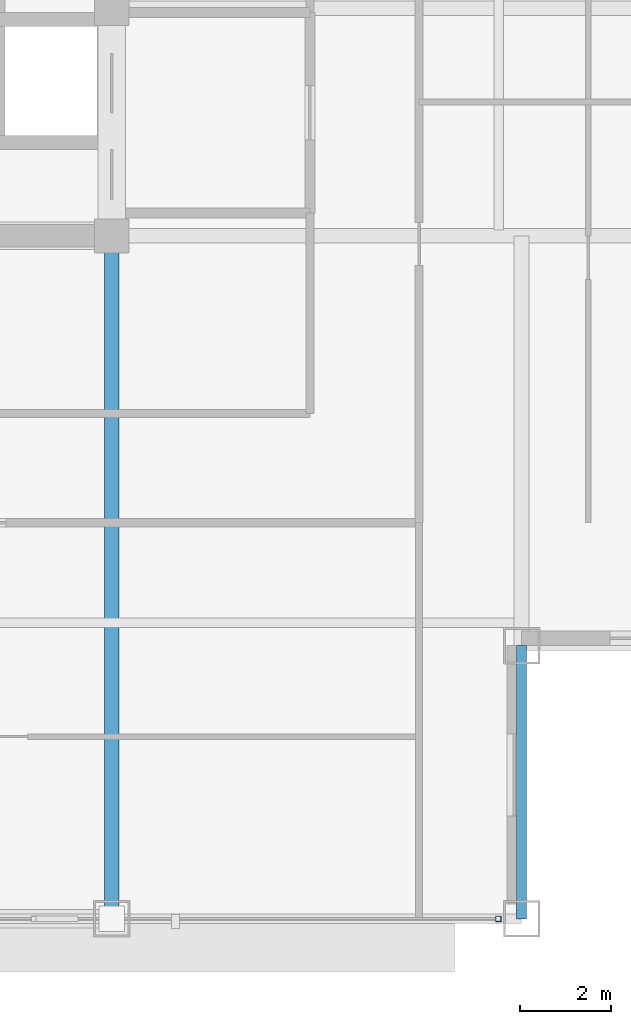
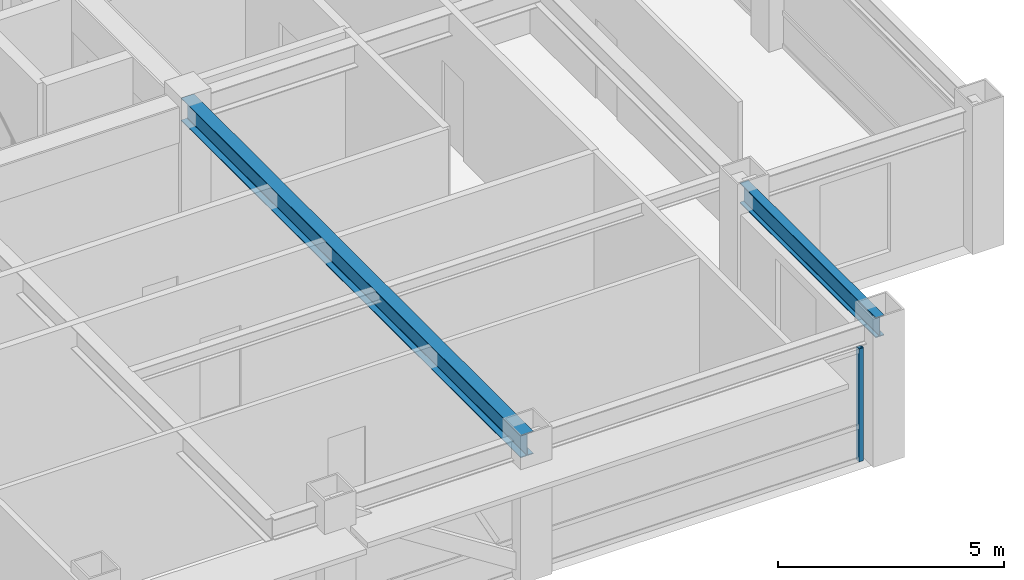
# One storey, part 8 of 32: 2 beams, 1 member, 1 element without a shape of its own.
"""IFC4 building model written with IfcOpenShell, lengths in metres."""

from ifc_helpers import new_model, si_unit, direction, frame, origin, origin_2d, place, context, subcontext, project, spatial, hollow_rectangle, i_section, extrude, source, transform, mapped, material, material_profile, profile_set, type_object, element, aggregate, save


model = new_model("IFC4")

# Units and contexts
model_context = context("Model", 3, precision=1e-05, world=origin(), true_north=direction((0.0, 1.0)))
body_context = subcontext(model_context, "Body", "Model", "MODEL_VIEW")
ifc_project = project(units=[si_unit("LENGTHUNIT", "METRE"), si_unit("AREAUNIT", "SQUARE_METRE"), si_unit("VOLUMEUNIT", "CUBIC_METRE"), si_unit("PLANEANGLEUNIT", "RADIAN"), si_unit("MASSUNIT", "GRAM", prefix="KILO")], contexts=[model_context])

# Site, building, storey
site_placement = place(None, origin())
site = spatial("IfcSite", under=ifc_project, at=site_placement, CompositionType="ELEMENT")
building_placement = place(site_placement, origin())
building = spatial("IfcBuilding", under=site, at=building_placement, Name="Khorayat Bourse Tower", CompositionType="ELEMENT")
storey_placement = place(building_placement, frame((0.0, 0.0, 342.300048828125)))
storey = spatial("IfcBuildingStorey", under=building, at=storey_placement, Name="L81", CompositionType="ELEMENT", Elevation=342.300048828125)

# Beams
ifc_material_1 = material(Name="Steel ASTM A992 Grade 50", Category="steel")
ifc_material_profile_1 = material_profile(ifc_material_1, i_section(OverallWidth=0.214111328125, OverallDepth=0.549072265625, WebThickness=0.0146484375, FlangeThickness=0.023681640625, FilletRadius=0.013916015625, at=origin_2d()), Name="W530X138")
ifc_profile_set_1 = profile_set([ifc_material_profile_1], Name="Steel ASTM A992 Grade 50")
beam_type_1 = type_object("IfcBeamType", Name="BM-SPAN-530", PredefinedType="SPANDREL", material=ifc_profile_set_1)
shared_shape_1 = source(origin(), body_context, "Body", "SweptSolid", [
    extrude(i_section(OverallWidth=0.214111328125, OverallDepth=0.549072265625, WebThickness=0.0146484375, FlangeThickness=0.023681640625, FilletRadius=0.013916015625, at=origin_2d()), origin(), (0.0, 0.0, 1.0), 6.0),
])
beam_1_placement = place(storey_placement, frame((20.0, -26.0, 3.425537109375), z_axis=(0.0, 1.0, 0.0), x_axis=(-1.0, 0.0, 0.0)))
element("IfcBeam", 1, at=beam_1_placement, inside=storey, type_object=beam_type_1, Name="L81 BM-SPAN-530 BM-L81-SPN-027", PredefinedType="SPANDREL", context=body_context, shape_type="MappedRepresentation", body=[
    mapped(shared_shape_1, transform((0.0, 0.0, 0.0), scale=1.0)),
])
ifc_material_profile_2 = material_profile(ifc_material_1, i_section(OverallWidth=0.324951171875, OverallDepth=0.615966796875, WebThickness=0.013916015625, FlangeThickness=0.021484375, FilletRadius=0.01611328125, at=origin_2d()), Name="W610X174")
ifc_profile_set_2 = profile_set([ifc_material_profile_2], Name="Steel ASTM A992 Grade 50")
beam_type_2 = type_object("IfcBeamType", Name="BM-GIRD-610", PredefinedType="BEAM", material=ifc_profile_set_2)
shared_shape_2 = source(origin(), body_context, "Body", "SweptSolid", [
    extrude(i_section(OverallWidth=0.324951171875, OverallDepth=0.615966796875, WebThickness=0.013916015625, FlangeThickness=0.021484375, FilletRadius=0.01611328125, at=origin_2d()), origin(), (0.0, 0.0, 1.0), 15.0),
])
beam_2_placement = place(storey_placement, frame((11.0, -26.0, 3.391845703125), z_axis=(0.0, 1.0, 0.0), x_axis=(-1.0, 0.0, 0.0)))
element("IfcBeam", 2, at=beam_2_placement, inside=storey, type_object=beam_type_2, Name="L81 BM-GIRD-610 BM-L81-RADY-060", PredefinedType="BEAM", context=body_context, shape_type="MappedRepresentation", body=[
    mapped(shared_shape_2, transform((0.0, 0.0, 0.0), scale=1.0)),
])

# Curtain wall, member
ifc_material_2 = material(Name="Aluminium EN AW-6063 T6", Category="aluminium")
curtain_wall_type = type_object("IfcCurtainWallType", Name="CW-SYS-04", PredefinedType="NOTDEFINED", material=ifc_material_2)
curtain_wall_placement = place(storey_placement, origin())
curtain_wall = element("IfcCurtainWall", 3, at=curtain_wall_placement, inside=storey, type_object=curtain_wall_type, Name="L81 Curtain Wall CW-L81-S1", PredefinedType="NOTDEFINED")
ifc_material_profile_3 = material_profile(ifc_material_2, hollow_rectangle(XDim=0.1201171875, YDim=0.1201171875, WallThickness=0.0048828125, at=origin_2d()), Name="ALU 120x120x5")
ifc_profile_set_3 = profile_set([ifc_material_profile_3], Name="Aluminium EN AW-6063 T6")
member_type = type_object("IfcMemberType", Name="CWM-VERT-120", PredefinedType="MULLION", material=ifc_profile_set_3)
shared_shape_3 = source(origin(), body_context, "Body", "SweptSolid", [
    extrude(hollow_rectangle(XDim=0.1201171875, YDim=0.1201171875, WallThickness=0.0048828125, at=origin_2d()), origin(), (0.0, 0.0, 1.0), 3.050048828125),
])
member_placement = place(storey_placement, frame((19.489990234375, -26.0, 0.0), z_axis=(0.0, 0.0, 1.0), x_axis=(0.0, 1.0, 0.0)))
member = element("IfcMember", 4, at=member_placement, type_object=member_type, Name="CW-L81-S1 Vertical Mullion 3", PredefinedType="MULLION", context=body_context, shape_type="MappedRepresentation", body=[
    mapped(shared_shape_3, transform((0.0, 0.0, 0.0), scale=1.0)),
])
aggregate(curtain_wall, [member])

save(model, "model.ifc")
